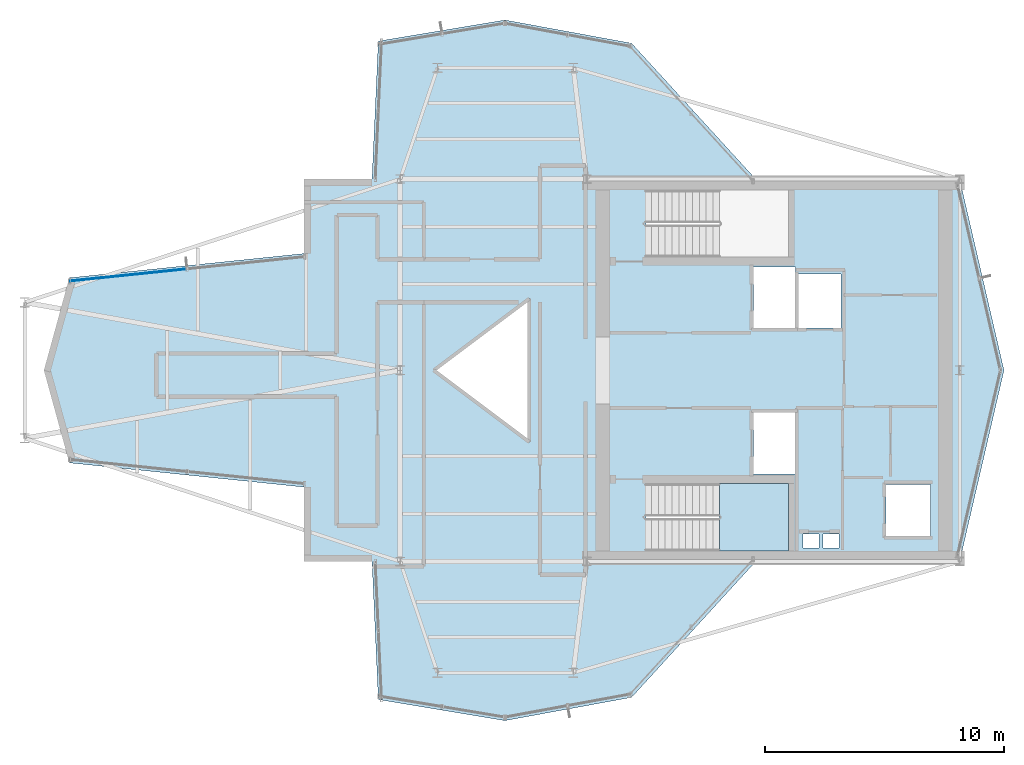
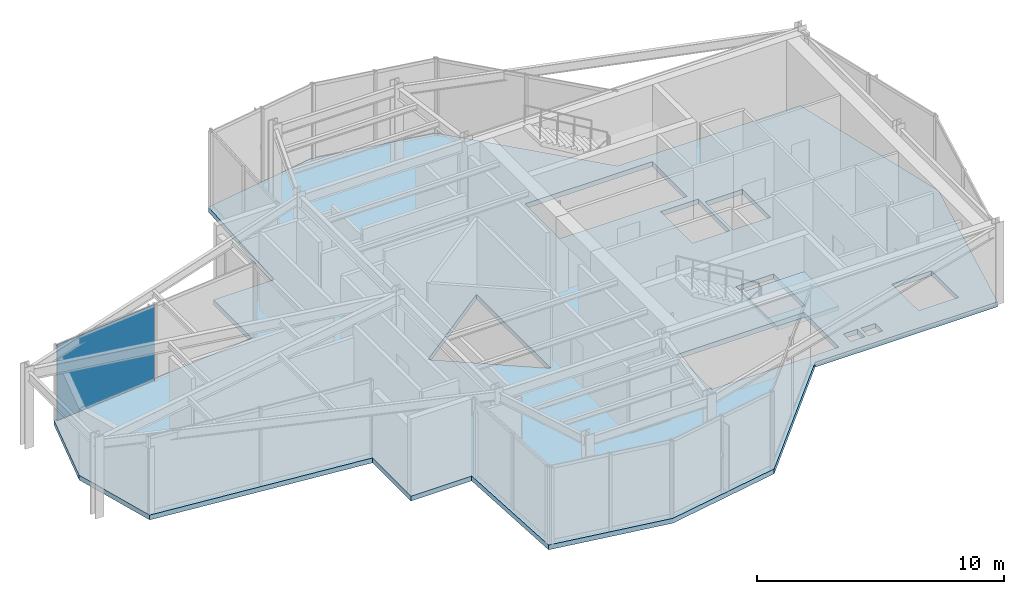
# One storey, part 9 of 14: 2 slabs, 1 plate, 2 elements without a shape of their own.
"""IFC4 building model written with IfcOpenShell, lengths in metres."""

from ifc_helpers import new_model, si_unit, direction, frame, origin, origin_2d, place, context, subcontext, project, spatial, polyline, rectangle, outline, extrude, material, layer, layer_set, type_object, element, aggregate, save


model = new_model("IFC4")

# Units and contexts
model_context = context("Model", 3, precision=1e-05, world=origin(), true_north=direction((0.0, 1.0)))
body_context = subcontext(model_context, "Body", "Model", "MODEL_VIEW")
ifc_project = project(units=[si_unit("LENGTHUNIT", "METRE"), si_unit("AREAUNIT", "SQUARE_METRE"), si_unit("VOLUMEUNIT", "CUBIC_METRE"), si_unit("PLANEANGLEUNIT", "RADIAN"), si_unit("MASSUNIT", "GRAM", prefix="KILO")], contexts=[model_context])

# Site, building, storey
site_placement = place(None, origin())
site = spatial("IfcSite", under=ifc_project, at=site_placement, CompositionType="ELEMENT")
building_placement = place(site_placement, origin())
building = spatial("IfcBuilding", under=site, at=building_placement, Name="Veymaron Broadcast Tower", CompositionType="ELEMENT")
storey_placement = place(building_placement, frame((0.0, 0.0, 283.050048828125)))
storey = spatial("IfcBuildingStorey", under=building, at=storey_placement, Name="L66", CompositionType="ELEMENT", Elevation=283.050048828125)

# Curtain wall, plate
ifc_material_1 = material(Name="Anodised aluminium AA 6063-T6 and laminated low-E dark glass", Category="aluminium")
ifc_layer_1 = layer(ifc_material_1, 0.179931640625)
ifc_layer_set_1 = layer_set([ifc_layer_1], Name="Anodised aluminium AA 6063-T6 and laminated low-E dark glass")
curtain_wall_type = type_object("IfcCurtainWallType", Name="CW-SYS-06", PredefinedType="NOTDEFINED", material=ifc_layer_set_1)
curtain_wall_placement = place(storey_placement, origin())
curtain_wall = element("IfcCurtainWall", 1, at=curtain_wall_placement, inside=storey, type_object=curtain_wall_type, Name="L66 dark-glass curtain wall CW-L66-E11-1", PredefinedType="NOTDEFINED")
ifc_material_2 = material(Name="Insulated dark-anodised aluminium spandrel panel 40 mm", Category="aluminium")
ifc_layer_2 = layer(ifc_material_2, 0.0400390625)
ifc_layer_set_2 = layer_set([ifc_layer_2], Name="Insulated dark-anodised aluminium spandrel panel 40 mm")
plate_type = type_object("IfcPlateType", Name="CW-PNL-03", PredefinedType="CURTAIN_PANEL", material=ifc_layer_set_2)
plate_placement = place(storey_placement, frame((19.830810546875, 27.985107421875, 0.0400390625), z_axis=(0.0, 0.0, 1.0), x_axis=(-0.994701022897, -0.102809897611, 0.0)))
plate = element("IfcPlate", 2, at=plate_placement, type_object=plate_type, Name="CW-L66-E11-1 unitised curtain panel 1", PredefinedType="CURTAIN_PANEL", context=body_context, shape_type="SweptSolid", body=[
    extrude(rectangle(XDim=4.87890625, YDim=0.0400390625, at=origin_2d()), origin(), (0.0, 0.0, 1.0), 3.72998046875),
])
aggregate(curtain_wall, [plate])

# Slab
ifc_material_3 = material(Name="Concrete C40/50", Category="concrete")
ifc_layer_3 = layer(ifc_material_3, 0.239990234375)
ifc_layer_set_3 = layer_set([ifc_layer_3], Name="Concrete C40/50")
slab_type_1 = type_object("IfcSlabType", Name="SLAB-FS6", PredefinedType="FLOOR", material=ifc_layer_set_3)
slab_1_placement = place(storey_placement, frame((0.0, 0.0, -0.239990234375)))
element("IfcSlab", 3, at=slab_1_placement, inside=storey, type_object=slab_type_1, Name="L66 structural floor slab", PredefinedType="FLOOR", context=body_context, shape_type="SweptSolid", body=[
    extrude(outline(polyline([(46.06884765625, 16.0), (54.60009765625, 16.0), (56.456298828125, 24.0), (54.60009765625, 32.0), (46.06884765625, 32.0), (40.877685546875, 37.680908203125), (35.581298828125, 38.6533203125), (30.284912109375, 37.769287109375), (30.02197265625, 32.0), (27.185546875, 32.0), (27.185546875, 28.885986328125), (17.360107421875, 27.87060546875), (16.29931640625, 24.0), (17.360107421875, 20.12939453125), (27.185546875, 19.114013671875), (27.185546875, 16.0), (30.02197265625, 16.0), (30.284912109375, 10.230712890625), (35.581298828125, 9.3466796875), (40.877685546875, 10.319091796875), (46.06884765625, 16.0)]), holes=[polyline([(45.969970703125, 28.330078125), (47.72998046875, 28.330078125), (47.72998046875, 25.77001953125), (45.969970703125, 25.77001953125), (45.969970703125, 28.330078125)]), polyline([(45.969970703125, 22.22998046875), (47.72998046875, 22.22998046875), (47.72998046875, 19.669921875), (45.969970703125, 19.669921875), (45.969970703125, 22.22998046875)]), polyline([(47.8701171875, 28.030029296875), (49.6298828125, 28.030029296875), (49.6298828125, 25.77001953125), (47.8701171875, 25.77001953125), (47.8701171875, 28.030029296875)]), polyline([(51.52001953125, 19.22998046875), (53.3798828125, 19.22998046875), (53.3798828125, 17.070068359375), (51.52001953125, 17.070068359375), (51.52001953125, 19.22998046875)]), polyline([(48.050048828125, 17.159912109375), (48.719970703125, 17.159912109375), (48.719970703125, 16.56005859375), (48.050048828125, 16.56005859375), (48.050048828125, 17.159912109375)]), polyline([(48.8798828125, 17.159912109375), (49.550048828125, 17.159912109375), (49.550048828125, 16.56005859375), (48.8798828125, 16.56005859375), (48.8798828125, 17.159912109375)]), polyline([(36.60009765625, 27.0), (36.60009765625, 21.0), (32.60009765625, 24.0), (36.60009765625, 27.0)]), polyline([(41.489990234375, 31.550048828125), (47.43994140625, 31.550048828125), (47.43994140625, 28.72998046875), (41.489990234375, 28.72998046875), (41.489990234375, 31.550048828125)]), polyline([(41.489990234375, 19.27001953125), (47.43994140625, 19.27001953125), (47.43994140625, 16.449951171875), (41.489990234375, 16.449951171875), (41.489990234375, 19.27001953125)])]), origin(), (0.0, 0.0, 1.0), 0.239990234375),
])

# Stair, slab
ifc_material_4 = material(Name="Concrete C50/60", Category="concrete")
stair_type = type_object("IfcStairType", Name="STAIR-CORE-2", PredefinedType="HALF_TURN_STAIR", material=ifc_material_4)
stair_placement = place(storey_placement, origin())
stair = element("IfcStair", 4, at=stair_placement, inside=storey, type_object=stair_type, Name="L66 South protected dog-leg exit stair ST2", PredefinedType="HALF_TURN_STAIR")
ifc_layer_4 = layer(ifc_material_4, 0.199951171875)
ifc_layer_set_4 = layer_set([ifc_layer_4], Name="Concrete C50/60")
slab_type_2 = type_object("IfcSlabType", Name="SLAB-STAIR-LDG", PredefinedType="LANDING", material=ifc_layer_set_4)
slab_2_placement = place(storey_placement, frame((0.0, 0.0, 1.824951171875)))
slab_2 = element("IfcSlab", 5, at=slab_2_placement, type_object=slab_type_2, Name="ST2 landing 1", PredefinedType="LANDING", context=body_context, shape_type="SweptSolid", body=[
    extrude(outline(polyline([(44.56494140625, 16.449951171875), (47.43994140625, 16.449951171875), (47.43994140625, 19.27001953125), (44.56494140625, 19.27001953125), (44.56494140625, 16.449951171875)])), origin(), (0.0, 0.0, 1.0), 0.199951171875),
])
aggregate(stair, [slab_2])

save(model, "model.ifc")
